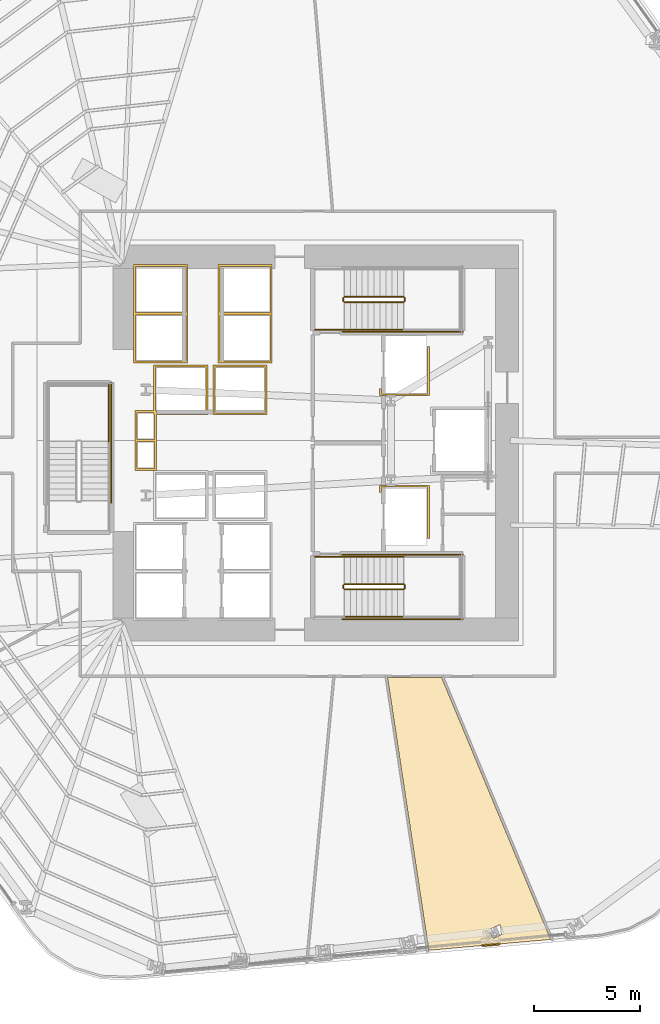
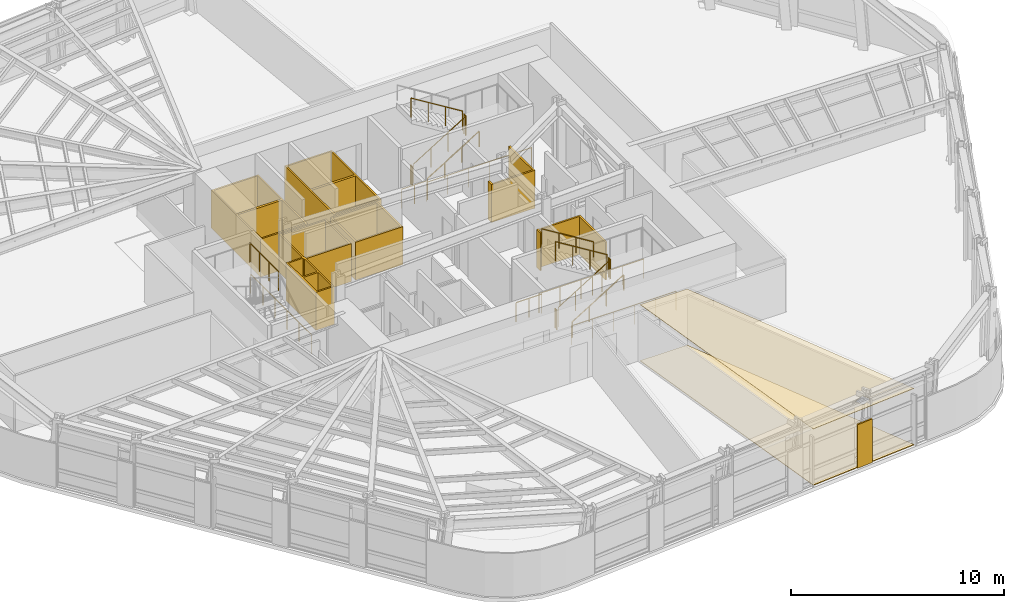
# One storey, part 13 of 16: 18 railings, 9 coverings.
"""IFC4 building model written with IfcOpenShell, lengths in metres."""

from ifc_helpers import new_model, si_unit, direction, frame, origin, origin_2d, place, context, subcontext, project, spatial, polyline, circle, outline, extrude, material, layer, layer_set, type_object, element, save


model = new_model("IFC4")

# Units and contexts
model_context = context("Model", 3, precision=1e-05, world=origin(), true_north=direction((0.0, 1.0)))
body_context = subcontext(model_context, "Body", "Model", "MODEL_VIEW")
ifc_project = project(units=[si_unit("LENGTHUNIT", "METRE"), si_unit("AREAUNIT", "SQUARE_METRE"), si_unit("VOLUMEUNIT", "CUBIC_METRE"), si_unit("PLANEANGLEUNIT", "RADIAN"), si_unit("MASSUNIT", "GRAM", prefix="KILO")], contexts=[model_context])

# Site, building, storey
site_placement = place(None, origin())
site = spatial("IfcSite", under=ifc_project, at=site_placement, CompositionType="ELEMENT")
building_placement = place(site_placement, origin())
building = spatial("IfcBuilding", under=site, at=building_placement, Name="Valkerne Bourse Tower", CompositionType="ELEMENT")
storey_placement = place(building_placement, frame((0.0, 0.0, 46.800048828125)))
storey = spatial("IfcBuildingStorey", under=building, at=storey_placement, Name="L11", CompositionType="ELEMENT", Elevation=46.800048828125)

# Coverings
ifc_material_1 = material(Name="Mineral Fiber Acoustic Ceiling Tile", Category="acoustic")
ifc_layer_1 = layer(ifc_material_1, 0.02490234375)
ifc_layer_set_1 = layer_set([ifc_layer_1], Name="Mineral Fiber Acoustic Ceiling Tile")
covering_type_1 = type_object("IfcCoveringType", Name="COV-CEIL-ACT", PredefinedType="CEILING", material=ifc_layer_set_1)
covering_1_placement = place(storey_placement, frame((0.0, 0.0, 3.22998046875)))
element("IfcCovering", 1, at=covering_1_placement, inside=storey, type_object=covering_type_1, Name="L11 Suspended Ceiling 04", PredefinedType="CEILING", context=body_context, shape_type="SweptSolid", body=[
    extrude(outline(polyline([(52.748291015625, 15.781005859375), (57.90966796875, 3.38134765625), (52.14306640625, 2.86767578125), (50.18994140625, 15.781005859375), (52.748291015625, 15.781005859375)]), holes=[polyline([(55.70166015625, 3.66552734375), (55.50439453125, 4.083984375), (55.501220703125, 4.082763671875), (54.982177734375, 3.837646484375), (55.17919921875, 3.4189453125), (55.1826171875, 3.42041015625), (55.70166015625, 3.66552734375)])]), origin(), (0.0, 0.0, 1.0), 0.02490234375),
])
ifc_material_2 = material(Name="Bronze Anodised Aluminium AA 6063-T6", Category="aluminium")
ifc_layer_2 = layer(ifc_material_2, 0.06005859375)
ifc_layer_set_2 = layer_set([ifc_layer_2], Name="Bronze Anodised Aluminium AA 6063-T6")
covering_type_2 = type_object("IfcCoveringType", Name="COV-CRN-ALUM", PredefinedType="CLADDING", material=ifc_layer_set_2)
covering_2_placement = place(storey_placement, origin())
element("IfcCovering", 2, at=covering_2_placement, inside=storey, type_object=covering_type_2, Name="L11 Wind-Shaped Corner Aluminium Cladding 02", PredefinedType="CLADDING", context=body_context, shape_type="SweptSolid", body=[
    extrude(outline(polyline([(54.6630859375, 3.048095703125), (54.655517578125, 3.127685546875), (55.4921875, 3.2021484375), (55.49951171875, 3.12255859375), (54.6630859375, 3.048095703125)])), origin(), (0.0, 0.0, 1.0), 2.5),
])
ifc_material_3 = material(Name="Polished Granite Stone", Category="masonry")
ifc_layer_3 = layer(ifc_material_3, 0.030029296875)
ifc_layer_set_3 = layer_set([ifc_layer_3], Name="Polished Granite Stone")
covering_type_3 = type_object("IfcCoveringType", Name="COV-FLR-TERRAZZO", PredefinedType="FLOORING", material=ifc_layer_set_3)
covering_3_placement = place(storey_placement, origin())
element("IfcCovering", 3, at=covering_3_placement, inside=storey, type_object=covering_type_3, Name="L11 Floor Finish 04", PredefinedType="FLOORING", context=body_context, shape_type="SweptSolid", body=[
    extrude(outline(polyline([(52.748291015625, 15.781005859375), (57.90966796875, 3.38134765625), (52.14306640625, 2.86767578125), (50.18994140625, 15.781005859375), (52.748291015625, 15.781005859375)]), holes=[polyline([(55.70166015625, 3.66552734375), (55.50439453125, 4.083984375), (55.501220703125, 4.082763671875), (54.982177734375, 3.837646484375), (55.17919921875, 3.4189453125), (55.1826171875, 3.42041015625), (55.70166015625, 3.66552734375)])]), origin(), (0.0, 0.0, 1.0), 0.030029296875),
])
ifc_material_4 = material(Name="Gypsum Shaftwall Liner Board", Category="gypsum")
ifc_layer_4 = layer(ifc_material_4, 0.080078125)
ifc_layer_set_4 = layer_set([ifc_layer_4], Name="Gypsum Shaftwall Liner Board")
covering_type_4 = type_object("IfcCoveringType", Name="COV-SHF-CLAD", PredefinedType="CLADDING", material=ifc_layer_set_4)
covering_4_placement = place(storey_placement, origin())
element("IfcCovering", 4, at=covering_4_placement, inside=storey, type_object=covering_type_4, Name="L11 Hoistway & Riser Shaftwall Liner 04", PredefinedType="CLADDING", context=body_context, shape_type="SweptSolid", body=[
    extrude(outline(polyline([(38.239990234375, 28.409912109375), (39.1201171875, 28.409912109375), (39.1201171875, 30.580078125), (41.679931640625, 30.580078125), (41.679931640625, 28.219970703125), (39.239990234375, 28.219970703125), (39.239990234375, 27.0400390625), (39.239990234375, 26.9599609375), (39.239990234375, 25.590087890625), (38.239990234375, 25.590087890625), (38.239990234375, 26.9599609375), (38.239990234375, 27.0400390625), (38.239990234375, 28.409912109375)]), holes=[polyline([(39.2099609375, 30.489990234375), (39.2099609375, 28.409912109375), (39.239990234375, 28.409912109375), (39.239990234375, 28.31005859375), (41.590087890625, 28.31005859375), (41.590087890625, 30.489990234375), (39.2099609375, 30.489990234375)]), polyline([(38.330078125, 26.949951171875), (38.330078125, 25.679931640625), (39.14990234375, 25.679931640625), (39.14990234375, 26.949951171875), (38.330078125, 26.949951171875)]), polyline([(39.1201171875, 28.219970703125), (39.1201171875, 28.320068359375), (38.330078125, 28.320068359375), (38.330078125, 27.050048828125), (39.14990234375, 27.050048828125), (39.14990234375, 28.219970703125), (39.1201171875, 28.219970703125)])]), origin(), (0.0, 0.0, 1.0), 2.179931640625),
])
covering_5_placement = place(storey_placement, origin())
element("IfcCovering", 5, at=covering_5_placement, inside=storey, type_object=covering_type_4, Name="L11 Hoistway & Riser Shaftwall Liner 05", PredefinedType="CLADDING", context=body_context, shape_type="SweptSolid", body=[
    extrude(outline(polyline([(38.169921875, 35.330078125), (40.72998046875, 35.330078125), (40.72998046875, 33.030029296875), (40.72998046875, 32.969970703125), (40.72998046875, 30.669921875), (38.169921875, 30.669921875), (38.169921875, 32.969970703125), (38.169921875, 33.030029296875), (38.169921875, 35.330078125)]), holes=[polyline([(38.260009765625, 32.93994140625), (38.260009765625, 30.760009765625), (40.639892578125, 30.760009765625), (40.639892578125, 32.93994140625), (38.260009765625, 32.93994140625)]), polyline([(38.260009765625, 35.239990234375), (38.260009765625, 33.06005859375), (40.639892578125, 33.06005859375), (40.639892578125, 35.239990234375), (38.260009765625, 35.239990234375)])]), origin(), (0.0, 0.0, 1.0), 2.179931640625),
])
covering_6_placement = place(storey_placement, origin())
element("IfcCovering", 6, at=covering_6_placement, inside=storey, type_object=covering_type_4, Name="L11 Hoistway & Riser Shaftwall Liner 07", PredefinedType="CLADDING", context=body_context, shape_type="SweptSolid", body=[
    extrude(outline(polyline([(52.179931640625, 22.35009765625), (52.090087890625, 22.35009765625), (52.090087890625, 24.7900390625), (49.909912109375, 24.7900390625), (49.909912109375, 24.560791015625), (49.869384765625, 24.550537109375), (49.827880859375, 24.53564453125), (49.820068359375, 24.531982421875), (49.820068359375, 24.8798828125), (52.179931640625, 24.8798828125), (52.179931640625, 22.35009765625)])), origin(), (0.0, 0.0, 1.0), 2.179931640625),
])
covering_7_placement = place(storey_placement, origin())
element("IfcCovering", 7, at=covering_7_placement, inside=storey, type_object=covering_type_4, Name="L11 Hoistway & Riser Shaftwall Liner 09", PredefinedType="CLADDING", context=body_context, shape_type="SweptSolid", body=[
    extrude(outline(polyline([(44.47998046875, 28.219970703125), (41.919921875, 28.219970703125), (41.919921875, 30.580078125), (44.47998046875, 30.580078125), (44.47998046875, 28.219970703125)]), holes=[polyline([(42.010009765625, 30.489990234375), (42.010009765625, 28.31005859375), (44.389892578125, 28.31005859375), (44.389892578125, 30.489990234375), (42.010009765625, 30.489990234375)])]), origin(), (0.0, 0.0, 1.0), 2.179931640625),
])
covering_8_placement = place(storey_placement, origin())
element("IfcCovering", 8, at=covering_8_placement, inside=storey, type_object=covering_type_4, Name="L11 Hoistway & Riser Shaftwall Liner 10", PredefinedType="CLADDING", context=body_context, shape_type="SweptSolid", body=[
    extrude(outline(polyline([(49.820068359375, 29.1201171875), (49.820068359375, 29.468017578125), (49.827880859375, 29.46435546875), (49.869384765625, 29.449462890625), (49.909912109375, 29.439208984375), (49.909912109375, 29.2099609375), (52.090087890625, 29.2099609375), (52.090087890625, 31.449951171875), (52.179931640625, 31.449951171875), (52.179931640625, 29.1201171875), (49.820068359375, 29.1201171875)])), origin(), (0.0, 0.0, 1.0), 2.179931640625),
])
covering_9_placement = place(storey_placement, origin())
element("IfcCovering", 9, at=covering_9_placement, inside=storey, type_object=covering_type_4, Name="L11 Hoistway & Riser Shaftwall Liner 11", PredefinedType="CLADDING", context=body_context, shape_type="SweptSolid", body=[
    extrude(outline(polyline([(44.72998046875, 35.330078125), (44.72998046875, 33.030029296875), (44.72998046875, 32.969970703125), (44.72998046875, 30.669921875), (42.169921875, 30.669921875), (42.169921875, 32.969970703125), (42.169921875, 33.030029296875), (42.169921875, 35.330078125), (44.72998046875, 35.330078125)]), holes=[polyline([(42.260009765625, 30.760009765625), (44.639892578125, 30.760009765625), (44.639892578125, 32.93994140625), (42.260009765625, 32.93994140625), (42.260009765625, 30.760009765625)]), polyline([(42.260009765625, 33.06005859375), (44.639892578125, 33.06005859375), (44.639892578125, 35.239990234375), (42.260009765625, 35.239990234375), (42.260009765625, 33.06005859375)])]), origin(), (0.0, 0.0, 1.0), 2.179931640625),
])

# Railings
ifc_material_5 = material(Name="Galvanised Painted Steel", Category="steel")
railing_type_1 = type_object("IfcRailingType", Name="RLG-ST-GUARD-1120", PredefinedType="GUARDRAIL", material=ifc_material_5)
railing_1_placement = place(storey_placement, frame((48.14990234375, 19.949951171875, 0.172607421875)))
element("IfcRailing", 10, at=railing_1_placement, inside=storey, type_object=railing_type_1, Name="L11 ST-1 stair guard 1", PredefinedType="GUARDRAIL", context=body_context, shape_type="SweptSolid", body=[
    extrude(circle(Radius=0.02392578125, at=origin_2d()), frame((0.0, 0.0, 1.09619140625), z_axis=(0.851089632645, 0.0, 0.525020415988), x_axis=(0.0, 1.0, 0.0)), (0.0, 0.0, 1.0), 3.2900390625),
    extrude(circle(Radius=0.02099609375, at=origin_2d()), origin(), (0.0, 0.0, 1.0), 1.072021484375),
    extrude(circle(Radius=0.02099609375, at=origin_2d()), frame((0.933349609375, 0.0, 0.57568359375)), (0.0, 0.0, 1.0), 1.072021484375),
    extrude(circle(Radius=0.02099609375, at=origin_2d()), frame((1.86669921875, 0.0, 1.151611328125)), (0.0, 0.0, 1.0), 1.072021484375),
    extrude(circle(Radius=0.02099609375, at=origin_2d()), frame((2.800048828125, 0.0, 1.727294921875)), (0.0, 0.0, 1.0), 1.072021484375),
])
railing_2_placement = place(storey_placement, frame((51.0, 20.0, 1.89990234375)))
element("IfcRailing", 11, at=railing_2_placement, inside=storey, type_object=railing_type_1, Name="L11 ST-1 stair guard 2", PredefinedType="GUARDRAIL", context=body_context, shape_type="SweptSolid", body=[
    extrude(circle(Radius=0.02392578125, at=origin_2d()), frame((0.0, 0.0, 1.09619140625), z_axis=(0.0, 1.0, 0.0), x_axis=(-1.0, 0.0, 0.0)), (0.0, 0.0, 1.0), 0.14990234375),
    extrude(circle(Radius=0.02099609375, at=origin_2d()), origin(), (0.0, 0.0, 1.0), 1.072021484375),
    extrude(circle(Radius=0.02099609375, at=origin_2d()), frame((0.0, 0.14990234375, 0.0)), (0.0, 0.0, 1.0), 1.072021484375),
])
railing_3_placement = place(storey_placement, frame((50.949951171875, 20.199951171875, 2.07275390625)))
element("IfcRailing", 12, at=railing_3_placement, inside=storey, type_object=railing_type_1, Name="L11 ST-1 stair guard 6", PredefinedType="GUARDRAIL", context=body_context, shape_type="SweptSolid", body=[
    extrude(circle(Radius=0.02392578125, at=origin_2d()), frame((0.0, 0.0, 1.09619140625), z_axis=(-0.851089632645, 0.0, 0.525020415988), x_axis=(0.0, -1.0, 0.0)), (0.0, 0.0, 1.0), 3.2900390625),
    extrude(circle(Radius=0.02099609375, at=origin_2d()), origin(), (0.0, 0.0, 1.0), 1.072021484375),
    extrude(circle(Radius=0.02099609375, at=origin_2d()), frame((-0.933349609375, 0.0, 0.57568359375)), (0.0, 0.0, 1.0), 1.072021484375),
    extrude(circle(Radius=0.02099609375, at=origin_2d()), frame((-1.86669921875, 0.0, 1.151611328125)), (0.0, 0.0, 1.0), 1.072021484375),
    extrude(circle(Radius=0.02099609375, at=origin_2d()), frame((-2.800048828125, 0.0, 1.727294921875)), (0.0, 0.0, 1.0), 1.072021484375),
])
railing_4_placement = place(storey_placement, frame((48.10009765625, 20.0, 0.0)))
element("IfcRailing", 13, at=railing_4_placement, inside=storey, type_object=railing_type_1, Name="L11 ST-1 stair guard 7", PredefinedType="GUARDRAIL", context=body_context, shape_type="SweptSolid", body=[
    extrude(circle(Radius=0.02392578125, at=origin_2d()), frame((0.0, 0.0, 1.09619140625), z_axis=(0.0, 1.0, 0.0), x_axis=(-1.0, 0.0, 0.0)), (0.0, 0.0, 1.0), 0.14990234375),
    extrude(circle(Radius=0.02099609375, at=origin_2d()), origin(), (0.0, 0.0, 1.0), 1.072021484375),
    extrude(circle(Radius=0.02099609375, at=origin_2d()), frame((0.0, 0.14990234375, 0.0)), (0.0, 0.0, 1.0), 1.072021484375),
])
railing_5_placement = place(storey_placement, frame((46.75, 21.5, 0.0)))
element("IfcRailing", 14, at=railing_5_placement, inside=storey, type_object=railing_type_1, Name="L11 ST-1 stair guard 9", PredefinedType="GUARDRAIL", context=body_context, shape_type="SweptSolid", body=[
    extrude(circle(Radius=0.02392578125, at=origin_2d()), frame((0.0, 0.0, 1.09619140625), z_axis=(1.0, 0.0, 0.0), x_axis=(0.0, 1.0, 0.0)), (0.0, 0.0, 1.0), 1.39990234375),
    extrude(circle(Radius=0.02099609375, at=origin_2d()), origin(), (0.0, 0.0, 1.0), 1.072021484375),
    extrude(circle(Radius=0.02099609375, at=origin_2d()), frame((0.699951171875, 0.0, 0.0)), (0.0, 0.0, 1.0), 1.072021484375),
    extrude(circle(Radius=0.02099609375, at=origin_2d()), frame((1.39990234375, 0.0, 0.0)), (0.0, 0.0, 1.0), 1.072021484375),
])
for number, where, name in (
    (15, (48.050048828125, 18.550048828125, 0.0), "L11 ST-1 stair guard 10"),
    (16, (48.050048828125, 21.60009765625, 0.0), "L11 ST-1 stair guard 11"),
):
    element("IfcRailing", number, at=place(storey_placement, frame(where)), inside=storey, type_object=railing_type_1, Name=name, PredefinedType="GUARDRAIL", context=body_context, shape_type="SweptSolid", body=[
        extrude(circle(Radius=0.02392578125, at=origin_2d()), frame((0.0, 0.0, 1.09619140625), z_axis=(1.0, 0.0, 0.0), x_axis=(0.0, 1.0, 0.0)), (0.0, 0.0, 1.0), 5.699951171875),
        extrude(circle(Radius=0.02099609375, at=origin_2d()), origin(), (0.0, 0.0, 1.0), 1.072021484375),
        extrude(circle(Radius=0.02099609375, at=origin_2d()), frame((1.139892578125, 0.0, 0.0)), (0.0, 0.0, 1.0), 1.072021484375),
        extrude(circle(Radius=0.02099609375, at=origin_2d()), frame((2.280029296875, 0.0, 0.0)), (0.0, 0.0, 1.0), 1.072021484375),
        extrude(circle(Radius=0.02099609375, at=origin_2d()), frame((3.419921875, 0.0, 0.0)), (0.0, 0.0, 1.0), 1.072021484375),
        extrude(circle(Radius=0.02099609375, at=origin_2d()), frame((4.56005859375, 0.0, 0.0)), (0.0, 0.0, 1.0), 1.072021484375),
        extrude(circle(Radius=0.02099609375, at=origin_2d()), frame((5.699951171875, 0.0, 0.0)), (0.0, 0.0, 1.0), 1.072021484375),
    ])
railing_6_placement = place(storey_placement, frame((48.14990234375, 33.550048828125, 0.172607421875)))
element("IfcRailing", 17, at=railing_6_placement, inside=storey, type_object=railing_type_1, Name="L11 ST-2 stair guard 1", PredefinedType="GUARDRAIL", context=body_context, shape_type="SweptSolid", body=[
    extrude(circle(Radius=0.02392578125, at=origin_2d()), frame((0.0, 0.0, 1.09619140625), z_axis=(0.851089632645, 0.0, 0.525020415988), x_axis=(0.0, 1.0, 0.0)), (0.0, 0.0, 1.0), 3.2900390625),
    extrude(circle(Radius=0.02099609375, at=origin_2d()), origin(), (0.0, 0.0, 1.0), 1.072021484375),
    extrude(circle(Radius=0.02099609375, at=origin_2d()), frame((0.933349609375, 0.0, 0.57568359375)), (0.0, 0.0, 1.0), 1.072021484375),
    extrude(circle(Radius=0.02099609375, at=origin_2d()), frame((1.86669921875, 0.0, 1.151611328125)), (0.0, 0.0, 1.0), 1.072021484375),
    extrude(circle(Radius=0.02099609375, at=origin_2d()), frame((2.800048828125, 0.0, 1.727294921875)), (0.0, 0.0, 1.0), 1.072021484375),
])
railing_7_placement = place(storey_placement, frame((51.0, 33.60009765625, 1.89990234375)))
element("IfcRailing", 18, at=railing_7_placement, inside=storey, type_object=railing_type_1, Name="L11 ST-2 stair guard 2", PredefinedType="GUARDRAIL", context=body_context, shape_type="SweptSolid", body=[
    extrude(circle(Radius=0.02392578125, at=origin_2d()), frame((0.0, 0.0, 1.09619140625), z_axis=(0.0, 1.0, 0.0), x_axis=(-1.0, 0.0, 0.0)), (0.0, 0.0, 1.0), 0.14990234375),
    extrude(circle(Radius=0.02099609375, at=origin_2d()), origin(), (0.0, 0.0, 1.0), 1.072021484375),
    extrude(circle(Radius=0.02099609375, at=origin_2d()), frame((0.0, 0.14990234375, 0.0)), (0.0, 0.0, 1.0), 1.072021484375),
])
railing_8_placement = place(storey_placement, frame((50.949951171875, 33.800048828125, 2.07275390625)))
element("IfcRailing", 19, at=railing_8_placement, inside=storey, type_object=railing_type_1, Name="L11 ST-2 stair guard 6", PredefinedType="GUARDRAIL", context=body_context, shape_type="SweptSolid", body=[
    extrude(circle(Radius=0.02392578125, at=origin_2d()), frame((0.0, 0.0, 1.09619140625), z_axis=(-0.851089632645, 0.0, 0.525020415988), x_axis=(0.0, -1.0, 0.0)), (0.0, 0.0, 1.0), 3.2900390625),
    extrude(circle(Radius=0.02099609375, at=origin_2d()), origin(), (0.0, 0.0, 1.0), 1.072021484375),
    extrude(circle(Radius=0.02099609375, at=origin_2d()), frame((-0.933349609375, 0.0, 0.57568359375)), (0.0, 0.0, 1.0), 1.072021484375),
    extrude(circle(Radius=0.02099609375, at=origin_2d()), frame((-1.86669921875, 0.0, 1.151611328125)), (0.0, 0.0, 1.0), 1.072021484375),
    extrude(circle(Radius=0.02099609375, at=origin_2d()), frame((-2.800048828125, 0.0, 1.727294921875)), (0.0, 0.0, 1.0), 1.072021484375),
])
railing_9_placement = place(storey_placement, frame((48.10009765625, 33.60009765625, 0.0)))
element("IfcRailing", 20, at=railing_9_placement, inside=storey, type_object=railing_type_1, Name="L11 ST-2 stair guard 7", PredefinedType="GUARDRAIL", context=body_context, shape_type="SweptSolid", body=[
    extrude(circle(Radius=0.02392578125, at=origin_2d()), frame((0.0, 0.0, 1.09619140625), z_axis=(0.0, 1.0, 0.0), x_axis=(-1.0, 0.0, 0.0)), (0.0, 0.0, 1.0), 0.14990234375),
    extrude(circle(Radius=0.02099609375, at=origin_2d()), origin(), (0.0, 0.0, 1.0), 1.072021484375),
    extrude(circle(Radius=0.02099609375, at=origin_2d()), frame((0.0, 0.14990234375, 0.0)), (0.0, 0.0, 1.0), 1.072021484375),
])
railing_10_placement = place(storey_placement, frame((46.75, 32.25, 0.0)))
element("IfcRailing", 21, at=railing_10_placement, inside=storey, type_object=railing_type_1, Name="L11 ST-2 stair guard 8", PredefinedType="GUARDRAIL", context=body_context, shape_type="SweptSolid", body=[
    extrude(circle(Radius=0.02392578125, at=origin_2d()), frame((0.0, 0.0, 1.09619140625), z_axis=(1.0, 0.0, 0.0), x_axis=(0.0, 1.0, 0.0)), (0.0, 0.0, 1.0), 1.39990234375),
    extrude(circle(Radius=0.02099609375, at=origin_2d()), origin(), (0.0, 0.0, 1.0), 1.072021484375),
    extrude(circle(Radius=0.02099609375, at=origin_2d()), frame((0.699951171875, 0.0, 0.0)), (0.0, 0.0, 1.0), 1.072021484375),
    extrude(circle(Radius=0.02099609375, at=origin_2d()), frame((1.39990234375, 0.0, 0.0)), (0.0, 0.0, 1.0), 1.072021484375),
])
railing_11_placement = place(storey_placement, frame((48.050048828125, 32.14990234375, 0.0)))
element("IfcRailing", 22, at=railing_11_placement, inside=storey, type_object=railing_type_1, Name="L11 ST-2 stair guard 10", PredefinedType="GUARDRAIL", context=body_context, shape_type="SweptSolid", body=[
    extrude(circle(Radius=0.02392578125, at=origin_2d()), frame((0.0, 0.0, 1.09619140625), z_axis=(1.0, 0.0, 0.0), x_axis=(0.0, 1.0, 0.0)), (0.0, 0.0, 1.0), 5.699951171875),
    extrude(circle(Radius=0.02099609375, at=origin_2d()), origin(), (0.0, 0.0, 1.0), 1.072021484375),
    extrude(circle(Radius=0.02099609375, at=origin_2d()), frame((1.139892578125, 0.0, 0.0)), (0.0, 0.0, 1.0), 1.072021484375),
    extrude(circle(Radius=0.02099609375, at=origin_2d()), frame((2.280029296875, 0.0, 0.0)), (0.0, 0.0, 1.0), 1.072021484375),
    extrude(circle(Radius=0.02099609375, at=origin_2d()), frame((3.419921875, 0.0, 0.0)), (0.0, 0.0, 1.0), 1.072021484375),
    extrude(circle(Radius=0.02099609375, at=origin_2d()), frame((4.56005859375, 0.0, 0.0)), (0.0, 0.0, 1.0), 1.072021484375),
    extrude(circle(Radius=0.02099609375, at=origin_2d()), frame((5.699951171875, 0.0, 0.0)), (0.0, 0.0, 1.0), 1.072021484375),
])
railing_12_placement = place(storey_placement, frame((37.0, 26.949951171875, 1.89990234375)))
element("IfcRailing", 23, at=railing_12_placement, inside=storey, type_object=railing_type_1, Name="L11 ST-3 stair guard 3", PredefinedType="GUARDRAIL", context=body_context, shape_type="SweptSolid", body=[
    extrude(circle(Radius=0.02392578125, at=origin_2d()), frame((0.0, 0.0, 1.09619140625), z_axis=(0.0, 1.0, 0.0), x_axis=(-1.0, 0.0, 0.0)), (0.0, 0.0, 1.0), 2.699951171875),
    extrude(circle(Radius=0.02099609375, at=origin_2d()), origin(), (0.0, 0.0, 1.0), 1.072021484375),
    extrude(circle(Radius=0.02099609375, at=origin_2d()), frame((0.0, 0.89990234375, 0.0)), (0.0, 0.0, 1.0), 1.072021484375),
    extrude(circle(Radius=0.02099609375, at=origin_2d()), frame((0.0, 1.800048828125, 0.0)), (0.0, 0.0, 1.0), 1.072021484375),
    extrude(circle(Radius=0.02099609375, at=origin_2d()), frame((0.0, 2.699951171875, 0.0)), (0.0, 0.0, 1.0), 1.072021484375),
])
railing_13_placement = place(storey_placement, frame((37.10009765625, 24.050048828125, 0.0)))
element("IfcRailing", 24, at=railing_13_placement, inside=storey, type_object=railing_type_1, Name="L11 ST-3 stair guard 10", PredefinedType="GUARDRAIL", context=body_context, shape_type="SweptSolid", body=[
    extrude(circle(Radius=0.02392578125, at=origin_2d()), frame((0.0, 0.0, 1.09619140625), z_axis=(0.0, 1.0, 0.0), x_axis=(-1.0, 0.0, 0.0)), (0.0, 0.0, 1.0), 5.699951171875),
    extrude(circle(Radius=0.02099609375, at=origin_2d()), origin(), (0.0, 0.0, 1.0), 1.072021484375),
    extrude(circle(Radius=0.02099609375, at=origin_2d()), frame((0.0, 1.139892578125, 0.0)), (0.0, 0.0, 1.0), 1.072021484375),
    extrude(circle(Radius=0.02099609375, at=origin_2d()), frame((0.0, 2.280029296875, 0.0)), (0.0, 0.0, 1.0), 1.072021484375),
    extrude(circle(Radius=0.02099609375, at=origin_2d()), frame((0.0, 3.419921875, 0.0)), (0.0, 0.0, 1.0), 1.072021484375),
    extrude(circle(Radius=0.02099609375, at=origin_2d()), frame((0.0, 4.56005859375, 0.0)), (0.0, 0.0, 1.0), 1.072021484375),
    extrude(circle(Radius=0.02099609375, at=origin_2d()), frame((0.0, 5.699951171875, 0.0)), (0.0, 0.0, 1.0), 1.072021484375),
])
ifc_material_6 = material(Name="Stainless Steel AISI 316", Category="steel")
railing_type_2 = type_object("IfcRailingType", Name="RLG-ST-HANDRAIL-900", PredefinedType="HANDRAIL", material=ifc_material_6)
railing_14_placement = place(storey_placement, frame((48.14990234375, 18.64990234375, 0.345458984375)))
element("IfcRailing", 25, at=railing_14_placement, inside=storey, type_object=railing_type_2, Name="L11 ST-1 stair handrail 1", PredefinedType="HANDRAIL", context=body_context, shape_type="SweptSolid", body=[
    extrude(circle(Radius=0.02392578125, at=origin_2d()), frame((0.0, 0.0, 0.8759765625), z_axis=(0.851089632645, 0.0, 0.525020415988), x_axis=(0.0, 1.0, 0.0)), (0.0, 0.0, 1.0), 3.2900390625),
    extrude(circle(Radius=0.02099609375, at=origin_2d()), origin(), (0.0, 0.0, 1.0), 0.851806640625),
    extrude(circle(Radius=0.02099609375, at=origin_2d()), frame((0.933349609375, 0.0, 0.57568359375)), (0.0, 0.0, 1.0), 0.851806640625),
    extrude(circle(Radius=0.02099609375, at=origin_2d()), frame((1.86669921875, 0.0, 1.151611328125)), (0.0, 0.0, 1.0), 0.851806640625),
    extrude(circle(Radius=0.02099609375, at=origin_2d()), frame((2.800048828125, 0.0, 1.727294921875)), (0.0, 0.0, 1.0), 0.851806640625),
])
railing_15_placement = place(storey_placement, frame((50.949951171875, 21.5, 2.245361328125)))
element("IfcRailing", 26, at=railing_15_placement, inside=storey, type_object=railing_type_2, Name="L11 ST-1 stair handrail 2", PredefinedType="HANDRAIL", context=body_context, shape_type="SweptSolid", body=[
    extrude(circle(Radius=0.02392578125, at=origin_2d()), frame((0.0, 0.0, 0.8759765625), z_axis=(-0.851089632645, 0.0, 0.525020415988), x_axis=(0.0, -1.0, 0.0)), (0.0, 0.0, 1.0), 3.2900390625),
    extrude(circle(Radius=0.02099609375, at=origin_2d()), origin(), (0.0, 0.0, 1.0), 0.851806640625),
    extrude(circle(Radius=0.02099609375, at=origin_2d()), frame((-0.933349609375, 0.0, 0.57568359375)), (0.0, 0.0, 1.0), 0.851806640625),
    extrude(circle(Radius=0.02099609375, at=origin_2d()), frame((-1.86669921875, 0.0, 1.151611328125)), (0.0, 0.0, 1.0), 0.851806640625),
    extrude(circle(Radius=0.02099609375, at=origin_2d()), frame((-2.800048828125, 0.0, 1.727294921875)), (0.0, 0.0, 1.0), 0.851806640625),
])
railing_16_placement = place(storey_placement, frame((48.14990234375, 32.25, 0.345458984375)))
element("IfcRailing", 27, at=railing_16_placement, inside=storey, type_object=railing_type_2, Name="L11 ST-2 stair handrail 1", PredefinedType="HANDRAIL", context=body_context, shape_type="SweptSolid", body=[
    extrude(circle(Radius=0.02392578125, at=origin_2d()), frame((0.0, 0.0, 0.8759765625), z_axis=(0.851089632645, 0.0, 0.525020415988), x_axis=(0.0, 1.0, 0.0)), (0.0, 0.0, 1.0), 3.2900390625),
    extrude(circle(Radius=0.02099609375, at=origin_2d()), origin(), (0.0, 0.0, 1.0), 0.851806640625),
    extrude(circle(Radius=0.02099609375, at=origin_2d()), frame((0.933349609375, 0.0, 0.57568359375)), (0.0, 0.0, 1.0), 0.851806640625),
    extrude(circle(Radius=0.02099609375, at=origin_2d()), frame((1.86669921875, 0.0, 1.151611328125)), (0.0, 0.0, 1.0), 0.851806640625),
    extrude(circle(Radius=0.02099609375, at=origin_2d()), frame((2.800048828125, 0.0, 1.727294921875)), (0.0, 0.0, 1.0), 0.851806640625),
])

save(model, "model.ifc")
